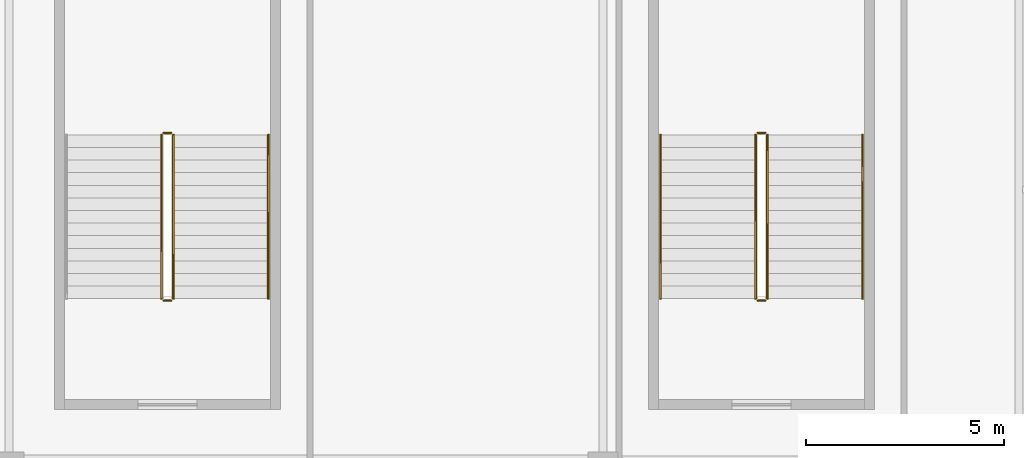
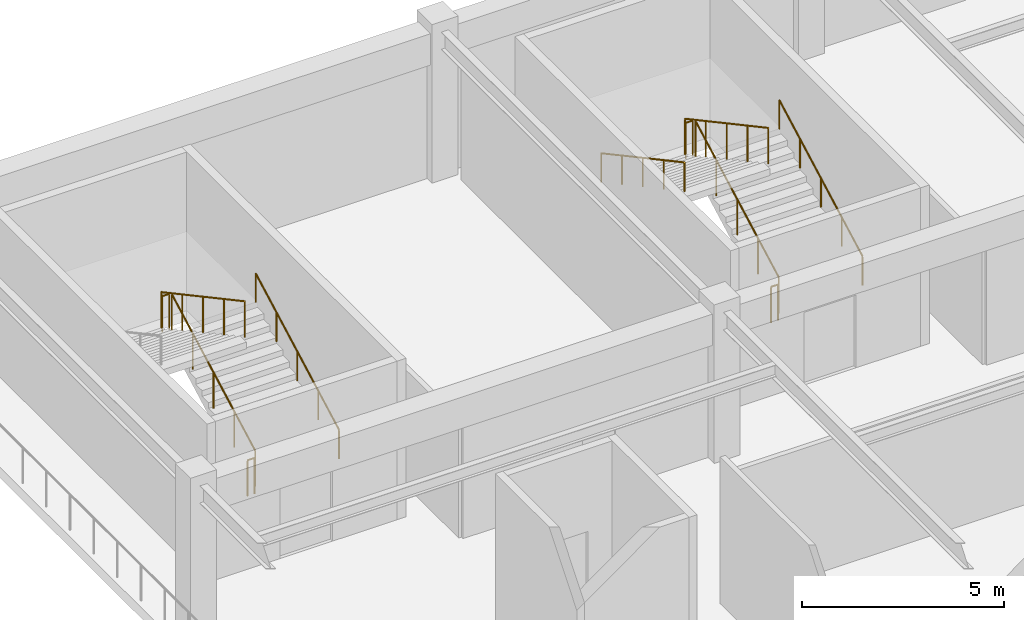
# One storey, part 110 of 112: 11 railings.
"""IFC4 building model written with IfcOpenShell, lengths in metres."""

import ifcopenshell
import ifcopenshell.guid

model = None  # the IFC model being written
_history = None  # IfcOwnerHistory: only IFC2X3 demands one
_inside = {}  # id of a spatial element -> (the spatial element, [elements in it])
_under = {}  # id of a project, library or spatial element -> (it, [spatial elements below it])
_declared = {}  # id of a project -> (the project, [libraries it declares])
_typed = {}  # id of a type object -> (the type object, [elements of that type])
_made_of = {}  # id of a material, layer set ... -> (it, [elements and type objects made of it])


def new_model(schema):
    """Start an empty IFC model of exactly this schema.

    Asked for "IFC4X3", IfcOpenShell would pick the latest addendum, in which some entities
    have other attributes; the version numbers below select the first issue.
    IFC2X3 requires an IfcOwnerHistory on every rooted entity: one is made here for all.
    """
    global model, _history
    if schema == "IFC4X3":
        model = ifcopenshell.file(schema_version=(4, 3, 0, 0))
    else:
        model = ifcopenshell.file(schema=schema)
    _inside.clear()
    _under.clear()
    _declared.clear()
    _typed.clear()
    _made_of.clear()
    _history = None
    if model.schema == "IFC2X3":
        org = make("IfcOrganization", Name="unknown")
        user = make(
            "IfcPersonAndOrganization",
            ThePerson=make("IfcPerson", FamilyName="unknown"),
            TheOrganization=org,
        )
        app = make(
            "IfcApplication",
            ApplicationDeveloper=org,
            Version="unknown",
            ApplicationFullName="unknown",
            ApplicationIdentifier="unknown",
        )
        _history = make(
            "IfcOwnerHistory",
            OwningUser=user,
            OwningApplication=app,
            ChangeAction="ADDED",
            CreationDate=0,
        )
    return model


def make(cls, **values):
    """One entity of the class cls with the attributes given. An attribute that is None is left unset."""
    return model.create_entity(
        cls, **{name: value for name, value in values.items() if value is not None}
    )


def rooted(cls, **values):
    """An entity with a GlobalId (a new one), such as an element, a storey or a relation."""
    return make(cls, GlobalId=ifcopenshell.guid.new(), OwnerHistory=_history, **values)


def si_unit(unit_type, name, prefix=None):
    """IfcSIUnit, for example si_unit("LENGTHUNIT", "METRE", prefix="MILLI")."""
    return make("IfcSIUnit", UnitType=unit_type, Prefix=prefix, Name=name)


def assignment(units):
    """IfcUnitAssignment: the units of a project."""
    return None if units is None else make("IfcUnitAssignment", Units=units)


def point(xyz):
    """IfcCartesianPoint."""
    return None if xyz is None else make("IfcCartesianPoint", Coordinates=xyz)


def direction(xyz):
    """IfcDirection."""
    return None if xyz is None else make("IfcDirection", DirectionRatios=xyz)


def frame(location, z_axis=None, x_axis=None):
    """IfcAxis2Placement3D, a coordinate frame: its origin and axes. An axis left out is left unset."""
    return make(
        "IfcAxis2Placement3D",
        Location=point(location),
        Axis=direction(z_axis),
        RefDirection=direction(x_axis),
    )


def frame_2d(location, x_axis=None):
    """IfcAxis2Placement2D, a coordinate frame in the plane: its origin and x axis."""
    return make(
        "IfcAxis2Placement2D", Location=point(location), RefDirection=direction(x_axis)
    )


def origin():
    """The frame at (0, 0, 0) with its axes left unset."""
    return frame((0.0, 0.0, 0.0))


def origin_2d():
    """The frame at (0, 0) in the plane with its x axis left unset."""
    return frame_2d((0.0, 0.0))


def place(relative_to, where):
    """IfcLocalPlacement: puts the frame where relative to a parent placement (None: the world)."""
    return make(
        "IfcLocalPlacement", PlacementRelTo=relative_to, RelativePlacement=where
    )


def context(
    kind, dimensions, precision=None, world=None, true_north=None, identifier=None
):
    """IfcGeometricRepresentationContext, for example the 3D "Model" context."""
    return make(
        "IfcGeometricRepresentationContext",
        ContextIdentifier=identifier,
        ContextType=kind,
        CoordinateSpaceDimension=dimensions,
        Precision=precision,
        WorldCoordinateSystem=world,
        TrueNorth=true_north,
    )


def subcontext(parent, identifier, kind, view, scale=None):
    """IfcGeometricRepresentationSubContext, for example "Body" below "Model"."""
    return make(
        "IfcGeometricRepresentationSubContext",
        ContextIdentifier=identifier,
        ContextType=kind,
        ParentContext=parent,
        TargetScale=scale,
        TargetView=view,
    )


def project(units=None, contexts=None):
    """IfcProject with its units and contexts."""
    return rooted(
        "IfcProject",
        Name="project",
        RepresentationContexts=contexts,
        UnitsInContext=assignment(units),
    )


def spatial(cls, under=None, at=None, **own):
    """A site, building, storey or space (cls), placed at a placement, below another one or the project."""
    s = rooted(cls, ObjectPlacement=at, **own)
    if under is not None:
        _under.setdefault(under.id(), (under, []))[1].append(s)
    return s


def profile(cls, at=None, kind="AREA", **sizes):
    """A parametric profile (cls). Its sizes go by their IFC names, for example OverallWidth=200.0."""
    return make(cls, ProfileType=kind, Position=at, **sizes)


def circle(**sizes):
    """IfcCircleProfileDef."""
    return profile("IfcCircleProfileDef", **sizes)


def extrude(swept, where, along, depth):
    """IfcExtrudedAreaSolid: the profile swept, set in the frame where, extruded along a direction by depth."""
    return make(
        "IfcExtrudedAreaSolid",
        SweptArea=swept,
        Position=where,
        ExtrudedDirection=direction(along),
        Depth=depth,
    )


def shape(context_of_items, identifier, shape_type, items):
    """IfcShapeRepresentation: the items that make up one representation, for example the "Body"."""
    return make(
        "IfcShapeRepresentation",
        ContextOfItems=context_of_items,
        RepresentationIdentifier=identifier,
        RepresentationType=shape_type,
        Items=items,
    )


def material(Name=None, Category=None):
    """IfcMaterial."""
    return make("IfcMaterial", Name=Name, Category=Category)


def made_of(thing, what):
    """Note that an element or type object is made of a material, layer set ...; save() writes the relation."""
    if what is not None:
        _made_of.setdefault(what.id(), (what, []))[1].append(thing)
    return thing


def type_object(cls, material=None, **own):
    """A type object (cls), such as IfcWallType, which elements share."""
    return made_of(rooted(cls, **own), material)


def element(
    cls,
    number,
    at=None,
    inside=None,
    cuts=None,
    type_object=None,
    material=None,
    context=None,
    identifier="Body",
    shape_type=None,
    held_by="IfcProductDefinitionShape",
    body=None,
    shapes=None,
    **own,
):
    """One element of the class cls, such as IfcWall. Its Tag is "e" and its number.

    at: its placement. inside: the storey or other place that contains it. cuts: it is an
    opening in that element (IfcRelVoidsElement). A single representation is given by context,
    identifier, shape_type and body (its items); several are given by shapes. held_by: the class
    of the entity that holds the representations. save() writes the other relations.
    """
    e = rooted(cls, Tag="e%d" % number, ObjectPlacement=at, **own)
    if body is not None:
        shapes = [shape(context, identifier, shape_type, body)]
    if shapes is not None:
        e.Representation = make(held_by, Representations=shapes)
    if inside is not None:
        _inside.setdefault(inside.id(), (inside, []))[1].append(e)
    if cuts is not None:
        rooted(
            "IfcRelVoidsElement", RelatingBuildingElement=cuts, RelatedOpeningElement=e
        )
    if type_object is not None:
        _typed.setdefault(type_object.id(), (type_object, []))[1].append(e)
    return made_of(e, material)


def aggregate(whole, parts):
    """IfcRelAggregates: a whole, such as a stair, and the parts it consists of."""
    return rooted("IfcRelAggregates", RelatingObject=whole, RelatedObjects=parts)


def save(model, path):
    """Write the relations noted so far, then the file.

    IfcRelAggregates (storeys below a building ...), IfcRelContainedInSpatialStructure (elements
    in a storey), IfcRelDefinesByType, IfcRelAssociatesMaterial and IfcRelDeclares: one each for
    every whole, place, type object, material and project.
    """
    for whole, parts in _under.values():
        aggregate(whole, parts)
    for where, things in _inside.values():
        rooted(
            "IfcRelContainedInSpatialStructure",
            RelatedElements=things,
            RelatingStructure=where,
        )
    for kind, things in _typed.values():
        rooted("IfcRelDefinesByType", RelatedObjects=things, RelatingType=kind)
    for what, things in _made_of.values():
        rooted("IfcRelAssociatesMaterial", RelatedObjects=things, RelatingMaterial=what)
    for by, libraries in _declared.values():
        rooted("IfcRelDeclares", RelatingContext=by, RelatedDefinitions=libraries)
    model.write(path)


model = new_model("IFC4")

# Units and contexts
model_context = context("Model", 3, precision=1e-05, world=origin(), true_north=direction((0.0, 1.0)))
body_context = subcontext(model_context, "Body", "Model", "MODEL_VIEW")
ifc_project = project(units=[si_unit("LENGTHUNIT", "METRE"), si_unit("AREAUNIT", "SQUARE_METRE"), si_unit("VOLUMEUNIT", "CUBIC_METRE"), si_unit("PLANEANGLEUNIT", "RADIAN"), si_unit("MASSUNIT", "GRAM", prefix="KILO")], contexts=[model_context])

# Site, building, storey
site_placement = place(None, origin())
site = spatial("IfcSite", under=ifc_project, at=site_placement, CompositionType="ELEMENT")
building_placement = place(site_placement, origin())
building = spatial("IfcBuilding", under=site, at=building_placement, Name="Cuetzalor Civic Arena", CompositionType="ELEMENT")
storey_placement = place(building_placement, frame((0.0, 0.0, 11.39990234375)))
storey = spatial("IfcBuildingStorey", under=building, at=storey_placement, Name="L02", CompositionType="ELEMENT", Elevation=11.39990234375)

# Railings
ifc_material_1 = material(Name="Reseda-green architectural Steel S355 balustrade", Category="steel")
railing_type_1 = type_object("IfcRailingType", Name="InteriorVoidBalustrade_1100", PredefinedType="BALUSTRADE", material=ifc_material_1)
railing_1_placement = place(storey_placement, frame((-31.85009765625, 65.75, 0.171630859375)))
element("IfcRailing", 1, at=railing_1_placement, inside=storey, type_object=railing_type_1, Name="L02 ST-24 stair guard 1", PredefinedType="BALUSTRADE", context=body_context, shape_type="SweptSolid", body=[
    extrude(circle(Radius=0.02392578125, at=origin_2d()), frame((0.0, 0.0, 1.0810546875), z_axis=(0.0, 0.880248997335, 0.474512068014), x_axis=(-1.0, 0.0, 0.0)), (0.0, 0.0, 1.0), 4.696533203125),
    extrude(circle(Radius=0.02099609375, at=origin_2d()), origin(), (0.0, 0.0, 1.0), 1.056884765625),
    extrude(circle(Radius=0.02099609375, at=origin_2d()), frame((0.0, 1.033447265625, 0.55712890625)), (0.0, 0.0, 1.0), 1.056884765625),
    extrude(circle(Radius=0.02099609375, at=origin_2d()), frame((0.0, 2.06689453125, 1.1142578125)), (0.0, 0.0, 1.0), 1.056884765625),
    extrude(circle(Radius=0.02099609375, at=origin_2d()), frame((0.0, 3.1005859375, 1.67138671875)), (0.0, 0.0, 1.0), 1.056884765625),
    extrude(circle(Radius=0.02099609375, at=origin_2d()), frame((0.0, 4.134033203125, 2.228515625)), (0.0, 0.0, 1.0), 1.056884765625),
])
railing_2_placement = place(storey_placement, frame((-31.89990234375, 69.93408203125, 2.400146484375)))
element("IfcRailing", 2, at=railing_2_placement, inside=storey, type_object=railing_type_1, Name="L02 ST-24 stair guard 2", PredefinedType="BALUSTRADE", context=body_context, shape_type="SweptSolid", body=[
    extrude(circle(Radius=0.02392578125, at=origin_2d()), frame((0.0, 0.0, 1.0810546875), z_axis=(-1.0, 0.0, 0.0), x_axis=(0.0, -1.0, 0.0)), (0.0, 0.0, 1.0), 0.2001953125),
    extrude(circle(Radius=0.02099609375, at=origin_2d()), origin(), (0.0, 0.0, 1.0), 1.056884765625),
    extrude(circle(Radius=0.02099609375, at=origin_2d()), frame((-0.2001953125, 0.0, 0.0)), (0.0, 0.0, 1.0), 1.056884765625),
])
railing_3_placement = place(storey_placement, frame((-32.14990234375, 69.884033203125, 2.571533203125)))
element("IfcRailing", 3, at=railing_3_placement, inside=storey, type_object=railing_type_1, Name="L02 ST-24 stair guard 3", PredefinedType="BALUSTRADE", context=body_context, shape_type="SweptSolid", body=[
    extrude(circle(Radius=0.02392578125, at=origin_2d()), frame((0.0, 0.0, 1.0810546875), z_axis=(0.0, -0.880248997335, 0.474512068014), x_axis=(1.0, 0.0, 0.0)), (0.0, 0.0, 1.0), 4.696533203125),
    extrude(circle(Radius=0.02099609375, at=origin_2d()), origin(), (0.0, 0.0, 1.0), 1.056884765625),
    extrude(circle(Radius=0.02099609375, at=origin_2d()), frame((0.0, -1.033447265625, 0.55712890625)), (0.0, 0.0, 1.0), 1.056884765625),
    extrude(circle(Radius=0.02099609375, at=origin_2d()), frame((0.0, -2.06689453125, 1.1142578125)), (0.0, 0.0, 1.0), 1.056884765625),
    extrude(circle(Radius=0.02099609375, at=origin_2d()), frame((0.0, -3.1005859375, 1.67138671875)), (0.0, 0.0, 1.0), 1.056884765625),
    extrude(circle(Radius=0.02099609375, at=origin_2d()), frame((0.0, -4.134033203125, 2.228515625)), (0.0, 0.0, 1.0), 1.056884765625),
])
railing_4_placement = place(storey_placement, frame((-31.89990234375, 65.699951171875, 0.0)))
element("IfcRailing", 4, at=railing_4_placement, inside=storey, type_object=railing_type_1, Name="L02 ST-24 stair guard 4", PredefinedType="BALUSTRADE", context=body_context, shape_type="SweptSolid", body=[
    extrude(circle(Radius=0.02392578125, at=origin_2d()), frame((0.0, 0.0, 1.0810546875), z_axis=(-1.0, 0.0, 0.0), x_axis=(0.0, -1.0, 0.0)), (0.0, 0.0, 1.0), 0.2001953125),
    extrude(circle(Radius=0.02099609375, at=origin_2d()), origin(), (0.0, 0.0, 1.0), 1.056884765625),
    extrude(circle(Radius=0.02099609375, at=origin_2d()), frame((-0.2001953125, 0.0, 0.0)), (0.0, 0.0, 1.0), 1.056884765625),
])
railing_5_placement = place(storey_placement, frame((-16.85009765625, 65.75, 0.171630859375)))
element("IfcRailing", 5, at=railing_5_placement, inside=storey, type_object=railing_type_1, Name="L02 ST-25 stair guard 1", PredefinedType="BALUSTRADE", context=body_context, shape_type="SweptSolid", body=[
    extrude(circle(Radius=0.02392578125, at=origin_2d()), frame((0.0, 0.0, 1.0810546875), z_axis=(0.0, 0.880248997335, 0.474512068014), x_axis=(-1.0, 0.0, 0.0)), (0.0, 0.0, 1.0), 4.696533203125),
    extrude(circle(Radius=0.02099609375, at=origin_2d()), origin(), (0.0, 0.0, 1.0), 1.056884765625),
    extrude(circle(Radius=0.02099609375, at=origin_2d()), frame((0.0, 1.033447265625, 0.55712890625)), (0.0, 0.0, 1.0), 1.056884765625),
    extrude(circle(Radius=0.02099609375, at=origin_2d()), frame((0.0, 2.06689453125, 1.1142578125)), (0.0, 0.0, 1.0), 1.056884765625),
    extrude(circle(Radius=0.02099609375, at=origin_2d()), frame((0.0, 3.1005859375, 1.67138671875)), (0.0, 0.0, 1.0), 1.056884765625),
    extrude(circle(Radius=0.02099609375, at=origin_2d()), frame((0.0, 4.134033203125, 2.228515625)), (0.0, 0.0, 1.0), 1.056884765625),
])
railing_6_placement = place(storey_placement, frame((-16.89990234375, 69.93408203125, 2.400146484375)))
element("IfcRailing", 6, at=railing_6_placement, inside=storey, type_object=railing_type_1, Name="L02 ST-25 stair guard 2", PredefinedType="BALUSTRADE", context=body_context, shape_type="SweptSolid", body=[
    extrude(circle(Radius=0.02392578125, at=origin_2d()), frame((0.0, 0.0, 1.0810546875), z_axis=(-1.0, 0.0, 0.0), x_axis=(0.0, -1.0, 0.0)), (0.0, 0.0, 1.0), 0.2001953125),
    extrude(circle(Radius=0.02099609375, at=origin_2d()), origin(), (0.0, 0.0, 1.0), 1.056884765625),
    extrude(circle(Radius=0.02099609375, at=origin_2d()), frame((-0.2001953125, 0.0, 0.0)), (0.0, 0.0, 1.0), 1.056884765625),
])
railing_7_placement = place(storey_placement, frame((-17.14990234375, 69.884033203125, 2.571533203125)))
element("IfcRailing", 7, at=railing_7_placement, inside=storey, type_object=railing_type_1, Name="L02 ST-25 stair guard 3", PredefinedType="BALUSTRADE", context=body_context, shape_type="SweptSolid", body=[
    extrude(circle(Radius=0.02392578125, at=origin_2d()), frame((0.0, 0.0, 1.0810546875), z_axis=(0.0, -0.880248997335, 0.474512068014), x_axis=(1.0, 0.0, 0.0)), (0.0, 0.0, 1.0), 4.696533203125),
    extrude(circle(Radius=0.02099609375, at=origin_2d()), origin(), (0.0, 0.0, 1.0), 1.056884765625),
    extrude(circle(Radius=0.02099609375, at=origin_2d()), frame((0.0, -1.033447265625, 0.55712890625)), (0.0, 0.0, 1.0), 1.056884765625),
    extrude(circle(Radius=0.02099609375, at=origin_2d()), frame((0.0, -2.06689453125, 1.1142578125)), (0.0, 0.0, 1.0), 1.056884765625),
    extrude(circle(Radius=0.02099609375, at=origin_2d()), frame((0.0, -3.1005859375, 1.67138671875)), (0.0, 0.0, 1.0), 1.056884765625),
    extrude(circle(Radius=0.02099609375, at=origin_2d()), frame((0.0, -4.134033203125, 2.228515625)), (0.0, 0.0, 1.0), 1.056884765625),
])
railing_8_placement = place(storey_placement, frame((-16.89990234375, 65.699951171875, 0.0)))
element("IfcRailing", 8, at=railing_8_placement, inside=storey, type_object=railing_type_1, Name="L02 ST-25 stair guard 4", PredefinedType="BALUSTRADE", context=body_context, shape_type="SweptSolid", body=[
    extrude(circle(Radius=0.02392578125, at=origin_2d()), frame((0.0, 0.0, 1.0810546875), z_axis=(-1.0, 0.0, 0.0), x_axis=(0.0, -1.0, 0.0)), (0.0, 0.0, 1.0), 0.2001953125),
    extrude(circle(Radius=0.02099609375, at=origin_2d()), origin(), (0.0, 0.0, 1.0), 1.056884765625),
    extrude(circle(Radius=0.02099609375, at=origin_2d()), frame((-0.2001953125, 0.0, 0.0)), (0.0, 0.0, 1.0), 1.056884765625),
])
ifc_material_2 = material(Name="Galvanised steel S355", Category="steel")
railing_type_2 = type_object("IfcRailingType", Name="StairPitchHandrail_900", PredefinedType="HANDRAIL", material=ifc_material_2)
for number, where, name in (
    (9, (-29.449951171875, 65.75, 0.171630859375), "L02 ST-24 stair handrail 1"),
    (10, (-14.449951171875, 65.75, 0.171630859375), "L02 ST-25 stair handrail 1"),
):
    element("IfcRailing", number, at=place(storey_placement, frame(where)), inside=storey, type_object=railing_type_2, Name=name, PredefinedType="HANDRAIL", context=body_context, shape_type="SweptSolid", body=[
        extrude(circle(Radius=0.02392578125, at=origin_2d()), frame((0.0, 0.0, 0.8759765625), z_axis=(0.0, 0.880248997335, 0.474512068014), x_axis=(-1.0, 0.0, 0.0)), (0.0, 0.0, 1.0), 4.696533203125),
        extrude(circle(Radius=0.02099609375, at=origin_2d()), origin(), (0.0, 0.0, 1.0), 0.851806640625),
        extrude(circle(Radius=0.02099609375, at=origin_2d()), frame((0.0, 1.033447265625, 0.55712890625)), (0.0, 0.0, 1.0), 0.851806640625),
        extrude(circle(Radius=0.02099609375, at=origin_2d()), frame((0.0, 2.06689453125, 1.1142578125)), (0.0, 0.0, 1.0), 0.851806640625),
        extrude(circle(Radius=0.02099609375, at=origin_2d()), frame((0.0, 3.1005859375, 1.67138671875)), (0.0, 0.0, 1.0), 0.851806640625),
        extrude(circle(Radius=0.02099609375, at=origin_2d()), frame((0.0, 4.134033203125, 2.228515625)), (0.0, 0.0, 1.0), 0.851806640625),
    ])
railing_9_placement = place(storey_placement, frame((-19.550048828125, 69.884033203125, 2.571533203125)))
element("IfcRailing", 11, at=railing_9_placement, inside=storey, type_object=railing_type_2, Name="L02 ST-25 stair handrail 2", PredefinedType="HANDRAIL", context=body_context, shape_type="SweptSolid", body=[
    extrude(circle(Radius=0.02392578125, at=origin_2d()), frame((0.0, 0.0, 0.8759765625), z_axis=(0.0, -0.880248997335, 0.474512068014), x_axis=(1.0, 0.0, 0.0)), (0.0, 0.0, 1.0), 4.696533203125),
    extrude(circle(Radius=0.02099609375, at=origin_2d()), origin(), (0.0, 0.0, 1.0), 0.851806640625),
    extrude(circle(Radius=0.02099609375, at=origin_2d()), frame((0.0, -1.033447265625, 0.55712890625)), (0.0, 0.0, 1.0), 0.851806640625),
    extrude(circle(Radius=0.02099609375, at=origin_2d()), frame((0.0, -2.06689453125, 1.1142578125)), (0.0, 0.0, 1.0), 0.851806640625),
    extrude(circle(Radius=0.02099609375, at=origin_2d()), frame((0.0, -3.1005859375, 1.67138671875)), (0.0, 0.0, 1.0), 0.851806640625),
    extrude(circle(Radius=0.02099609375, at=origin_2d()), frame((0.0, -4.134033203125, 2.228515625)), (0.0, 0.0, 1.0), 0.851806640625),
])

save(model, "model.ifc")
